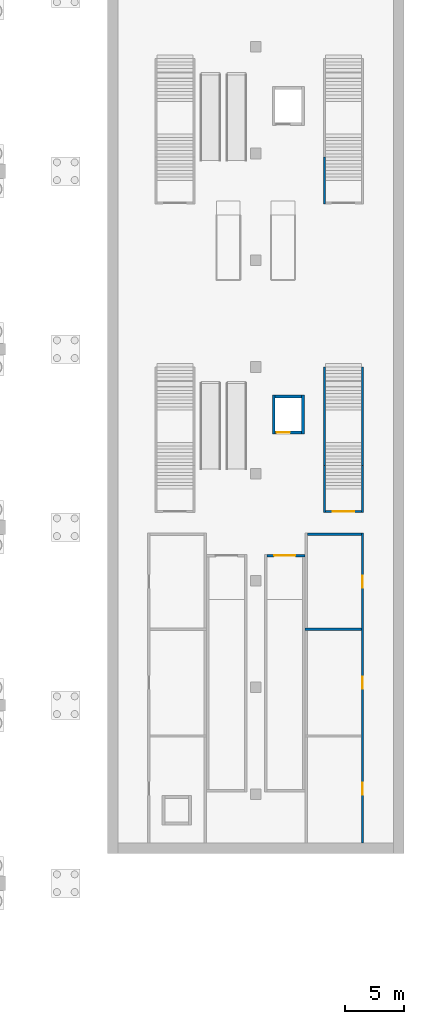
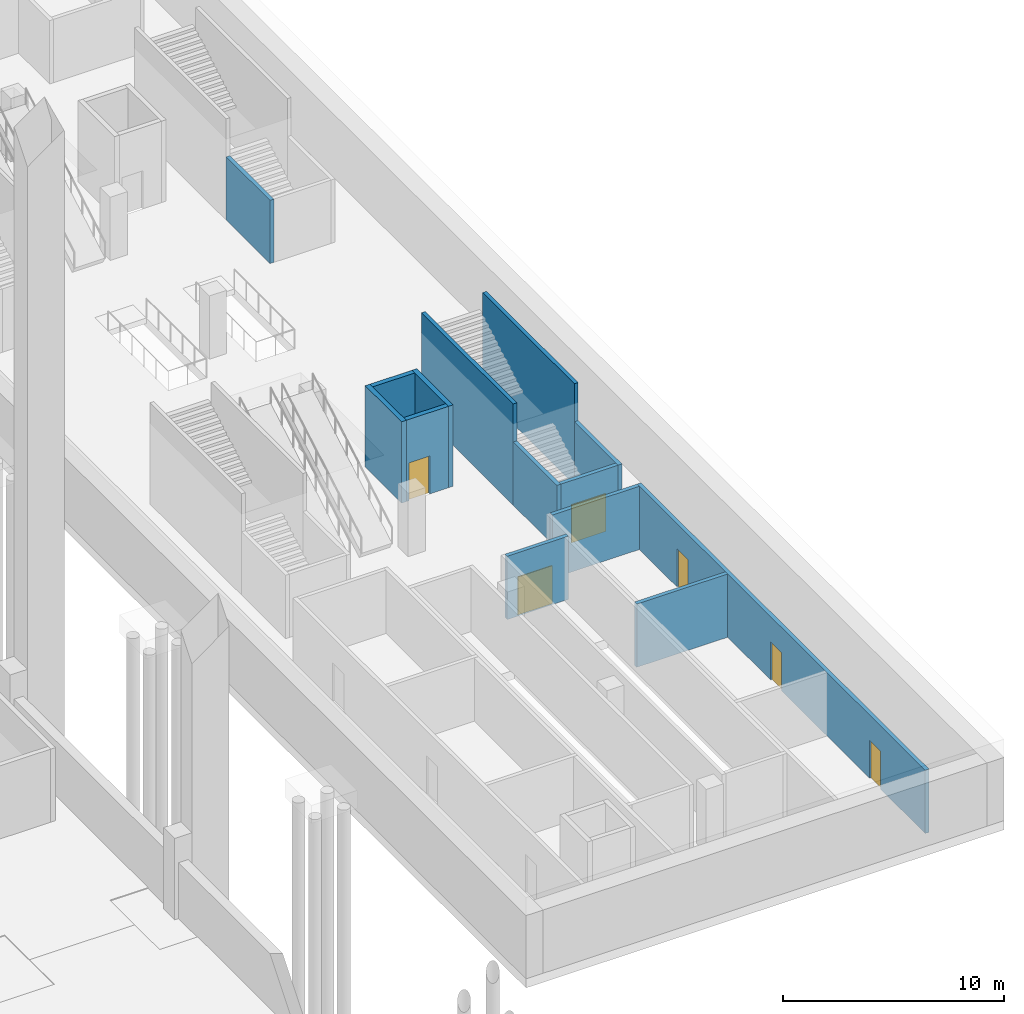
# One storey, part 31 of 115: 14 walls, 6 doors, 6 openings.
"""IFC4 building model written with IfcOpenShell, lengths in metres."""

from ifc_helpers import new_model, si_unit, direction, frame, frame_2d, origin, place, context, subcontext, project, spatial, rectangle, extrude, material, layer, layer_set, type_object, element, fill, save


model = new_model("IFC4")

# Units and contexts
model_context = context("Model", 3, precision=1e-05, world=origin(), true_north=direction((0.0, 1.0)))
body_context = subcontext(model_context, "Body", "Model", "MODEL_VIEW")
ifc_project = project(units=[si_unit("LENGTHUNIT", "METRE"), si_unit("AREAUNIT", "SQUARE_METRE"), si_unit("VOLUMEUNIT", "CUBIC_METRE"), si_unit("PLANEANGLEUNIT", "RADIAN"), si_unit("MASSUNIT", "GRAM", prefix="KILO")], contexts=[model_context])

# Site, building, storey
site_placement = place(None, origin())
site = spatial("IfcSite", under=ifc_project, at=site_placement, CompositionType="ELEMENT")
building_placement = place(site_placement, origin())
building = spatial("IfcBuilding", under=site, at=building_placement, Name="Ogive Plaza Stadium", CompositionType="ELEMENT")
storey_placement = place(building_placement, frame((0.0, 0.0, -4.5)))
storey = spatial("IfcBuildingStorey", under=building, at=storey_placement, Name="B1", CompositionType="ELEMENT", Elevation=-4.5)

# Walls
ifc_material_1 = material(Name="Concrete C40/50", Category="concrete")
ifc_layer_1 = layer(ifc_material_1, 0.25)
ifc_layer_set_1 = layer_set([ifc_layer_1], Name="Concrete C40/50")
wall_type_1 = type_object("IfcWallType", Name="Lift shaft wall 250", PredefinedType="SHEAR", material=ifc_layer_set_1)
for number, where, z_axis, x_axis, name in (
    (1, (109.02490234375, -14.64990234375, 0.0), (0.0, 0.0, 1.0), (0.0, 1.0, 0.0), "Lift shaft wall 250 B1 west"),
    (2, (111.47509765625, -14.64990234375, 0.0), (0.0, 0.0, 1.0), (0.0, 1.0, 0.0), "Lift shaft wall 250 B1 east"),
):
    element("IfcWall", number, at=place(storey_placement, frame(where, z_axis=z_axis, x_axis=x_axis)), inside=storey, type_object=wall_type_1, Name=name, PredefinedType="SHEAR", context=body_context, shape_type="SweptSolid", body=[
        extrude(rectangle(XDim=3.2998046875, YDim=0.25, at=frame_2d((1.64990234375, 0.0))), origin(), (0.0, 0.0, 1.0), 4.5),
    ])

# Wall, opening, door
wall_1_placement = place(storey_placement, frame((109.14990234375, -14.52490234375, 0.0), z_axis=(0.0, 0.0, 1.0), x_axis=(1.0, 0.0, 0.0)))
wall_1 = element("IfcWall", 3, at=wall_1_placement, inside=storey, type_object=wall_type_1, Name="Lift shaft wall 250 B1 south", PredefinedType="SHEAR", context=body_context, shape_type="SweptSolid", body=[
    extrude(rectangle(XDim=2.2001953125, YDim=0.25, at=frame_2d((1.10009765625, 0.0))), origin(), (0.0, 0.0, 1.0), 4.5),
])
opening_1_placement = place(wall_1_placement, frame((0.125, 0.0, 0.0)))
opening_1 = element("IfcOpeningElement", 4, at=opening_1_placement, cuts=wall_1, Name="Opening LD002", PredefinedType="OPENING", context=body_context, shape_type="SweptSolid", body=[
    extrude(rectangle(XDim=1.10009765625, YDim=2.10009765625, at=frame_2d((0.550048828125, 1.050048828125))), frame((0.0, 0.125, 0.0), z_axis=(0.0, -1.0, 0.0), x_axis=(1.0, 0.0, 0.0)), (0.0, 0.0, 1.0), 0.25),
])
ifc_material_2 = material(Name="Stainless steel door set", Category="steel")
door_type_1 = type_object("IfcDoorType", Name="Landing door LD 1100 x 2100", OperationType="SLIDING_TO_LEFT", PredefinedType="DOOR", material=ifc_material_2)
door_1_placement = place(opening_1_placement, origin())
door_1 = element("IfcDoor", 5, at=door_1_placement, inside=storey, type_object=door_type_1, Name="Door LD002", OperationType="SLIDING_TO_LEFT", OverallHeight=2.10009765625, OverallWidth=1.10009765625, PredefinedType="DOOR", context=body_context, shape_type="SweptSolid", body=[
    extrude(rectangle(XDim=1.10009765625, YDim=2.10009765625, at=frame_2d((0.550048828125, 1.050048828125))), frame((0.0, 0.02490234375, 0.0), z_axis=(0.0, -1.0, 0.0), x_axis=(1.0, 0.0, 0.0)), (0.0, 0.0, 1.0), 0.050048828125),
])
fill(opening_1, door_1)

# Wall
wall_2_placement = place(storey_placement, frame((109.14990234375, -11.47509765625, 0.0), z_axis=(0.0, 0.0, 1.0), x_axis=(1.0, 0.0, 0.0)))
element("IfcWall", 6, at=wall_2_placement, inside=storey, type_object=wall_type_1, Name="Lift shaft wall 250 B1 north", PredefinedType="SHEAR", context=body_context, shape_type="SweptSolid", body=[
    extrude(rectangle(XDim=2.2001953125, YDim=0.25, at=frame_2d((1.10009765625, 0.0))), origin(), (0.0, 0.0, 1.0), 4.5),
])

# Wall, openings, doors
ifc_material_3 = material(Name="Masonry blockwork", Category="masonry")
ifc_layer_2 = layer(ifc_material_3, 0.199951171875)
ifc_layer_set_2 = layer_set([ifc_layer_2], Name="Room partition 200")
wall_type_2 = type_object("IfcWallType", Name="Room partition 200", PredefinedType="PARTITIONING", material=ifc_layer_set_2)
wall_3_placement = place(storey_placement, frame((116.5, -49.10009765625, 0.0), z_axis=(0.0, 0.0, 1.0), x_axis=(0.0, 1.0, 0.0)))
wall_3 = element("IfcWall", 7, at=wall_3_placement, inside=storey, type_object=wall_type_2, Name="Room partition 200 B1", PredefinedType="PARTITIONING", context=body_context, shape_type="SweptSolid", body=[
    extrude(rectangle(XDim=26.10009765625, YDim=0.199951171875, at=frame_2d((13.050048828125, 0.0))), origin(), (0.0, 0.0, 1.0), 3.5),
])
opening_2_placement = place(wall_3_placement, frame((4.050048828125, 0.0, 0.0)))
opening_2 = element("IfcOpeningElement", 8, at=opening_2_placement, cuts=wall_3, Name="Opening SD026", PredefinedType="OPENING", context=body_context, shape_type="SweptSolid", body=[
    extrude(rectangle(XDim=1.0, YDim=2.10009765625, at=frame_2d((0.5, 1.050048828125))), frame((0.0, 0.10009765625, 0.0), z_axis=(0.0, -1.0, 0.0), x_axis=(1.0, 0.0, 0.0)), (0.0, 0.0, 1.0), 0.199951171875),
])
opening_3_placement = place(wall_3_placement, frame((13.0, 0.0, 0.0)))
opening_3 = element("IfcOpeningElement", 9, at=opening_3_placement, cuts=wall_3, Name="Opening SD027", PredefinedType="OPENING", context=body_context, shape_type="SweptSolid", body=[
    extrude(rectangle(XDim=1.0, YDim=2.10009765625, at=frame_2d((0.5, 1.050048828125))), frame((0.0, 0.10009765625, 0.0), z_axis=(0.0, -1.0, 0.0), x_axis=(1.0, 0.0, 0.0)), (0.0, 0.0, 1.0), 0.199951171875),
])
opening_4_placement = place(wall_3_placement, frame((21.5, 0.0, 0.0)))
opening_4 = element("IfcOpeningElement", 10, at=opening_4_placement, cuts=wall_3, Name="Opening SD028", PredefinedType="OPENING", context=body_context, shape_type="SweptSolid", body=[
    extrude(rectangle(XDim=1.0, YDim=2.10009765625, at=frame_2d((0.5, 1.050048828125))), frame((0.0, 0.10009765625, 0.0), z_axis=(0.0, -1.0, 0.0), x_axis=(1.0, 0.0, 0.0)), (0.0, 0.0, 1.0), 0.199951171875),
])
ifc_material_4 = material(Name="Steel ASTM A572 Grade 50", Category="steel")
door_type_2 = type_object("IfcDoorType", Name="Fire door FD30S 1000 x 2100", OperationType="SINGLE_SWING_LEFT", PredefinedType="DOOR", material=ifc_material_4)
door_2_placement = place(opening_2_placement, origin())
door_2 = element("IfcDoor", 11, at=door_2_placement, inside=storey, type_object=door_type_2, Name="Door SD026", OperationType="SINGLE_SWING_RIGHT", OverallHeight=2.10009765625, OverallWidth=1.0, PredefinedType="DOOR", context=body_context, shape_type="SweptSolid", body=[
    extrude(rectangle(XDim=1.0, YDim=2.10009765625, at=frame_2d((0.5, 1.050048828125))), frame((0.0, 0.02490234375, 0.0), z_axis=(0.0, -1.0, 0.0), x_axis=(1.0, 0.0, 0.0)), (0.0, 0.0, 1.0), 0.050048828125),
])
fill(opening_2, door_2)
door_3_placement = place(opening_3_placement, origin())
door_3 = element("IfcDoor", 12, at=door_3_placement, inside=storey, type_object=door_type_2, Name="Door SD027", OperationType="SINGLE_SWING_LEFT", OverallHeight=2.10009765625, OverallWidth=1.0, PredefinedType="DOOR", context=body_context, shape_type="SweptSolid", body=[
    extrude(rectangle(XDim=1.0, YDim=2.10009765625, at=frame_2d((0.5, 1.050048828125))), frame((0.0, 0.02490234375, 0.0), z_axis=(0.0, -1.0, 0.0), x_axis=(1.0, 0.0, 0.0)), (0.0, 0.0, 1.0), 0.050048828125),
])
fill(opening_3, door_3)
door_4_placement = place(opening_4_placement, origin())
door_4 = element("IfcDoor", 13, at=door_4_placement, inside=storey, type_object=door_type_2, Name="Door SD028", OperationType="SINGLE_SWING_LEFT", OverallHeight=2.10009765625, OverallWidth=1.0, PredefinedType="DOOR", context=body_context, shape_type="SweptSolid", body=[
    extrude(rectangle(XDim=1.0, YDim=2.10009765625, at=frame_2d((0.5, 1.050048828125))), frame((0.0, 0.02490234375, 0.0), z_axis=(0.0, -1.0, 0.0), x_axis=(1.0, 0.0, 0.0)), (0.0, 0.0, 1.0), 0.050048828125),
])
fill(opening_4, door_4)

# Walls
wall_4_placement = place(storey_placement, frame((111.64990234375, -31.10009765625, 0.0), z_axis=(0.0, 0.0, 1.0), x_axis=(1.0, 0.0, 0.0)))
element("IfcWall", 14, at=wall_4_placement, inside=storey, type_object=wall_type_2, Name="Room partition 200 B1", PredefinedType="PARTITIONING", context=body_context, shape_type="SweptSolid", body=[
    extrude(rectangle(XDim=4.75, YDim=0.199951171875, at=frame_2d((2.375, 0.0))), origin(), (0.0, 0.0, 1.0), 3.5),
])
wall_5_placement = place(storey_placement, frame((111.85009765625, -23.10009765625, 0.0), z_axis=(0.0, 0.0, 1.0), x_axis=(1.0, 0.0, 0.0)))
element("IfcWall", 15, at=wall_5_placement, inside=storey, type_object=wall_type_2, Name="Room partition 200 B1", PredefinedType="PARTITIONING", context=body_context, shape_type="SweptSolid", body=[
    extrude(rectangle(XDim=4.5498046875, YDim=0.199951171875, at=frame_2d((2.27490234375, 0.0))), origin(), (0.0, 0.0, 1.0), 3.5),
])

# Wall, opening, door
ifc_material_5 = material(Name="Concrete C40/50", Category="concrete")
ifc_layer_3 = layer(ifc_material_5, 0.199951171875)
ifc_layer_set_3 = layer_set([ifc_layer_3], Name="Concrete C40/50")
wall_type_3 = type_object("IfcWallType", Name="Stair enclosure wall 200", PredefinedType="SHEAR", material=ifc_layer_set_3)
wall_6_placement = place(storey_placement, frame((108.449951171875, -24.89990234375, 0.0), z_axis=(0.0, 0.0, 1.0), x_axis=(1.0, 0.0, 0.0)))
wall_6 = element("IfcWall", 16, at=wall_6_placement, inside=storey, type_object=wall_type_3, Name="Stair enclosure wall 200 B1 north", PredefinedType="SHEAR", context=body_context, shape_type="SweptSolid", body=[
    extrude(rectangle(XDim=3.199951171875, YDim=0.199951171875, at=frame_2d((1.60009765625, 0.0))), origin(), (0.0, 0.0, 1.0), 3.5),
])
opening_5_placement = place(wall_6_placement, frame((0.60009765625, 0.0, 0.0)))
opening_5 = element("IfcOpeningElement", 17, at=opening_5_placement, cuts=wall_6, Name="Opening SD004", PredefinedType="OPENING", context=body_context, shape_type="SweptSolid", body=[
    extrude(rectangle(XDim=1.800048828125, YDim=2.10009765625, at=frame_2d((0.89990234375, 1.050048828125))), frame((0.0, 0.10009765625, 0.0), z_axis=(0.0, -1.0, 0.0), x_axis=(1.0, 0.0, 0.0)), (0.0, 0.0, 1.0), 0.199951171875),
])
ifc_material_6 = material(Name="Steel fire door set", Category="steel")
door_type_3 = type_object("IfcDoorType", Name="Fire door double FD60 1800 x 2100", OperationType="DOUBLE_DOOR_SINGLE_SWING", PredefinedType="DOOR", material=ifc_material_6)
door_5_placement = place(opening_5_placement, origin())
door_5 = element("IfcDoor", 18, at=door_5_placement, inside=storey, type_object=door_type_3, Name="Door SD004", OperationType="DOUBLE_DOOR_SINGLE_SWING", OverallHeight=2.10009765625, OverallWidth=1.800048828125, PredefinedType="DOOR", context=body_context, shape_type="SweptSolid", body=[
    extrude(rectangle(XDim=1.800048828125, YDim=2.10009765625, at=frame_2d((0.89990234375, 1.050048828125))), frame((0.0, 0.02490234375, 0.0), z_axis=(0.0, -1.0, 0.0), x_axis=(1.0, 0.0, 0.0)), (0.0, 0.0, 1.0), 0.050048828125),
])
fill(opening_5, door_5)

# Walls
for number, where, z_axis, x_axis, name in (
    (19, (113.300048828125, -21.280029296875, 0.0), (0.0, 0.0, 1.0), (0.0, 1.0, 0.0), "Stair enclosure wall 200 B1 west"),
    (20, (116.5, -21.280029296875, 0.0), (0.0, 0.0, 1.0), (0.0, 1.0, 0.0), "Stair enclosure wall 200 B1 east"),
):
    element("IfcWall", number, at=place(storey_placement, frame(where, z_axis=z_axis, x_axis=x_axis)), inside=storey, type_object=wall_type_3, Name=name, PredefinedType="SHEAR", context=body_context, shape_type="SweptSolid", body=[
        extrude(rectangle(XDim=3.96630859375, YDim=0.199951171875, at=frame_2d((1.983154296875, 0.0))), origin(), (0.0, 0.0, 1.0), 3.5),
    ])

# Wall, opening, door
wall_7_placement = place(storey_placement, frame((113.39990234375, -21.179931640625, 0.0), z_axis=(0.0, 0.0, 1.0), x_axis=(1.0, 0.0, 0.0)))
wall_7 = element("IfcWall", 21, at=wall_7_placement, inside=storey, type_object=wall_type_3, Name="Stair enclosure wall 200 B1 south", PredefinedType="SHEAR", context=body_context, shape_type="SweptSolid", body=[
    extrude(rectangle(XDim=3.0, YDim=0.199951171875, at=frame_2d((1.5, 0.0))), origin(), (0.0, 0.0, 1.0), 3.5),
])
opening_6_placement = place(wall_7_placement, frame((0.60009765625, 0.0, 0.0)))
opening_6 = element("IfcOpeningElement", 22, at=opening_6_placement, cuts=wall_7, Name="Opening SD013", PredefinedType="OPENING", context=body_context, shape_type="SweptSolid", body=[
    extrude(rectangle(XDim=1.800048828125, YDim=2.10009765625, at=frame_2d((0.89990234375, 1.050048828125))), frame((0.0, 0.10009765625, 0.0), z_axis=(0.0, -1.0, 0.0), x_axis=(1.0, 0.0, 0.0)), (0.0, 0.0, 1.0), 0.199951171875),
])
door_6_placement = place(opening_6_placement, origin())
door_6 = element("IfcDoor", 23, at=door_6_placement, inside=storey, type_object=door_type_3, Name="Door SD013", OperationType="DOUBLE_DOOR_SINGLE_SWING", OverallHeight=2.10009765625, OverallWidth=1.800048828125, PredefinedType="DOOR", context=body_context, shape_type="SweptSolid", body=[
    extrude(rectangle(XDim=1.800048828125, YDim=2.10009765625, at=frame_2d((0.89990234375, 1.050048828125))), frame((0.0, 0.02490234375, 0.0), z_axis=(0.0, -1.0, 0.0), x_axis=(1.0, 0.0, 0.0)), (0.0, 0.0, 1.0), 0.050048828125),
])
fill(opening_6, door_6)

# Walls
wall_8_placement = place(storey_placement, frame((113.300048828125, 4.719970703125, 0.0), z_axis=(0.0, 0.0, 1.0), x_axis=(0.0, 1.0, 0.0)))
element("IfcWall", 24, at=wall_8_placement, inside=storey, type_object=wall_type_3, Name="Stair enclosure wall 200 B1 west", PredefinedType="SHEAR", context=body_context, shape_type="SweptSolid", body=[
    extrude(rectangle(XDim=3.96630859375, YDim=0.199951171875, at=frame_2d((1.983154296875, 0.0))), origin(), (0.0, 0.0, 1.0), 3.5),
])
ifc_material_7 = material(Name="Concrete C40/50", Category="concrete")
ifc_layer_4 = layer(ifc_material_7, 0.199951171875)
ifc_layer_set_4 = layer_set([ifc_layer_4], Name="Concrete C40/50")
wall_type_4 = type_object("IfcWallType", Name="Stair enclosure wall 200 A", PredefinedType="SHEAR", material=ifc_layer_set_4)
for number, where, z_axis, x_axis, name in (
    (25, (113.300048828125, -17.313720703125, 0.0), (0.0, 0.0, 1.0), (0.0, 1.0, 0.0), "Stair enclosure wall 200 B1 west"),
    (26, (116.5, -17.313720703125, 0.0), (0.0, 0.0, 1.0), (0.0, 1.0, 0.0), "Stair enclosure wall 200 B1 east"),
):
    element("IfcWall", number, at=place(storey_placement, frame(where, z_axis=z_axis, x_axis=x_axis)), inside=storey, type_object=wall_type_4, Name=name, PredefinedType="SHEAR", context=body_context, shape_type="SweptSolid", body=[
        extrude(rectangle(XDim=8.313720703125, YDim=0.199951171875, at=frame_2d((4.15673828125, 0.0))), origin(), (0.0, 0.0, 1.0), 5.60009765625),
    ])

save(model, "model.ifc")
